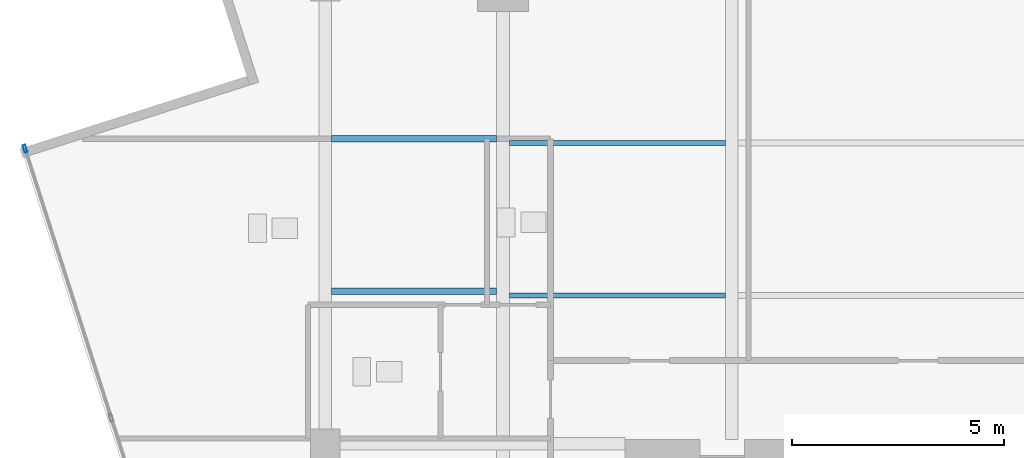
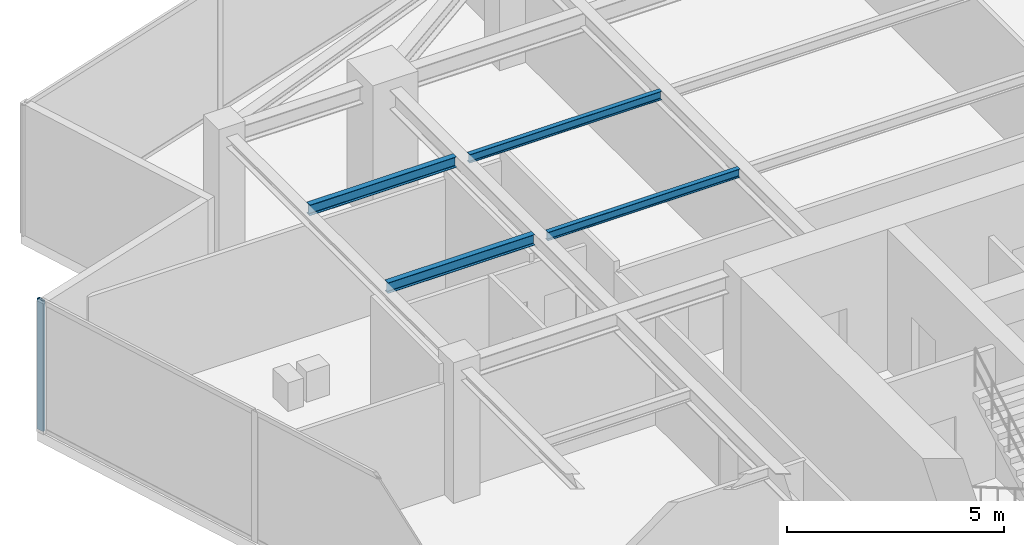
# One storey, part 7 of 21: 4 beams, 1 member, 1 element without a shape of its own.
"""IFC4 building model written with IfcOpenShell, lengths in metres."""

from ifc_helpers import new_model, si_unit, direction, frame, origin, origin_2d, place, context, subcontext, project, spatial, hollow_rectangle, i_section, extrude, source, transform, mapped, material, material_profile, profile_set, type_object, type_shapes, element, aggregate, save


model = new_model("IFC4")

# Units and contexts
model_context = context("Model", 3, precision=1e-05, world=origin(), true_north=direction((0.0, 1.0)))
body_context = subcontext(model_context, "Body", "Model", "MODEL_VIEW")
ifc_project = project(units=[si_unit("LENGTHUNIT", "METRE"), si_unit("AREAUNIT", "SQUARE_METRE"), si_unit("VOLUMEUNIT", "CUBIC_METRE"), si_unit("PLANEANGLEUNIT", "RADIAN"), si_unit("MASSUNIT", "GRAM", prefix="KILO")], contexts=[model_context])

# Site, building, storey
site_placement = place(None, origin())
site = spatial("IfcSite", under=ifc_project, at=site_placement, CompositionType="ELEMENT")
building_placement = place(site_placement, origin())
building = spatial("IfcBuilding", under=site, at=building_placement, Name="Krantzveldt Concourse Tower", CompositionType="ELEMENT")
storey_placement = place(building_placement, frame((0.0, 0.0, 343.5)))
storey = spatial("IfcBuildingStorey", under=building, at=storey_placement, Name="L84", CompositionType="ELEMENT", Elevation=343.5)

# Beams
ifc_material_1 = material(Name="Steel S355JR", Category="steel")
ifc_material_profile_1 = material_profile(ifc_material_1, i_section(OverallWidth=0.1201171875, OverallDepth=0.239990234375, WebThickness=0.006103515625, FlangeThickness=0.009765625, FilletRadius=0.014892578125, at=origin_2d()), Name="Steel S355JR", Category="steel")
ifc_profile_set_1 = profile_set([ifc_material_profile_1], Name="Steel S355JR - IPE 240")
beam_type_1 = type_object("IfcBeamType", Name="BM-LN-IPE240", PredefinedType="LINTEL", material=ifc_profile_set_1)
shared_shape_1 = source(origin(), body_context, "Body", "SweptSolid", [
    extrude(i_section(OverallWidth=0.1201171875, OverallDepth=0.239990234375, WebThickness=0.006103515625, FlangeThickness=0.009765625, FilletRadius=0.014892578125, at=origin_2d()), origin(), (0.0, 0.0, 1.0), 5.099853515625),
])
type_shapes(beam_type_1, [shared_shape_1])
for number, where, z_axis, x_axis, name in (
    (1, (25.35009765625, 30.199951171875, 3.550048828125), (1.0, 0.0, 0.0), (0.0, 1.0, 0.0), "L84 Secondary Floor Joist JN-W1"),
    (2, (25.35009765625, 33.800048828125, 3.550048828125), (1.0, 0.0, 0.0), (0.0, 1.0, 0.0), "L84 Secondary Floor Joist JN-W2"),
):
    element("IfcBeam", number, at=place(storey_placement, frame(where, z_axis=z_axis, x_axis=x_axis)), inside=storey, type_object=beam_type_1, Name=name, PredefinedType="LINTEL", context=body_context, shape_type="MappedRepresentation", body=[
        mapped(shared_shape_1, transform((0.0, 0.0, 0.0), x_axis=(1.0, 0.0, 0.0), y_axis=(0.0, 1.0, 0.0), z_axis=(0.0, 0.0, 1.0), scale=1.0)),
    ])
ifc_material_profile_2 = material_profile(ifc_material_1, i_section(OverallWidth=0.14990234375, OverallDepth=0.300048828125, WebThickness=0.007080078125, FlangeThickness=0.0107421875, FilletRadius=0.014892578125, at=origin_2d()), Name="Steel S355JR", Category="steel")
ifc_profile_set_2 = profile_set([ifc_material_profile_2], Name="Steel S355JR - IPE 300")
beam_type_2 = type_object("IfcBeamType", Name="BM-J-IPE300", PredefinedType="JOIST", material=ifc_profile_set_2)
shared_shape_2 = source(origin(), body_context, "Body", "SweptSolid", [
    extrude(i_section(OverallWidth=0.14990234375, OverallDepth=0.300048828125, WebThickness=0.007080078125, FlangeThickness=0.0107421875, FilletRadius=0.014892578125, at=origin_2d()), origin(), (0.0, 0.0, 1.0), 3.900146484375),
])
type_shapes(beam_type_2, [shared_shape_2])
for number, where, z_axis, x_axis, name in (
    (3, (21.14990234375, 30.300048828125, 3.52001953125), (1.0, 0.0, 0.0), (0.0, 1.0, 0.0), "L84 Secondary Floor Joist JW-3"),
    (4, (21.14990234375, 33.89990234375, 3.52001953125), (1.0, 0.0, 0.0), (0.0, 1.0, 0.0), "L84 Secondary Floor Joist JW-4"),
):
    element("IfcBeam", number, at=place(storey_placement, frame(where, z_axis=z_axis, x_axis=x_axis)), inside=storey, type_object=beam_type_2, Name=name, PredefinedType="JOIST", context=body_context, shape_type="MappedRepresentation", body=[
        mapped(shared_shape_2, transform((0.0, 0.0, 0.0), x_axis=(1.0, 0.0, 0.0), y_axis=(0.0, 1.0, 0.0), z_axis=(0.0, 0.0, 1.0), scale=1.0)),
    ])

# Curtain wall, member
ifc_material_2 = material(Name="Anodised aluminium 6063-T6", Category="aluminium")
curtain_wall_type = type_object("IfcCurtainWallType", Name="CW4", PredefinedType="USERDEFINED", material=ifc_material_2)
curtain_wall_placement = place(storey_placement, origin())
curtain_wall = element("IfcCurtainWall", 5, at=curtain_wall_placement, inside=storey, type_object=curtain_wall_type, Name="CW-L84-F04", ObjectType="UNITISED CURTAIN WALL", PredefinedType="USERDEFINED")
ifc_material_profile_3 = material_profile(ifc_material_2, hollow_rectangle(XDim=0.070068359375, YDim=0.179931640625, WallThickness=0.0048828125, at=origin_2d()), Name="Anodised aluminium 6063-T6", Category="aluminium")
ifc_profile_set_3 = profile_set([ifc_material_profile_3], Name="Anodised aluminium 6063-T6 - ALU-MULL 180x70x5")
member_type = type_object("IfcMemberType", Name="CW-MUL-180", PredefinedType="MULLION", material=ifc_profile_set_3)
shared_shape_3 = source(origin(), body_context, "Body", "SweptSolid", [
    extrude(hollow_rectangle(XDim=0.070068359375, YDim=0.179931640625, WallThickness=0.0048828125, at=origin_2d()), origin(), (0.0, 0.0, 1.0), 3.669921875),
])
type_shapes(member_type, [shared_shape_3])
member_placement = place(storey_placement, frame((13.915771484375, 33.663818359375, 0.0), z_axis=(0.0, 0.0, 1.0), x_axis=(0.952395843376, 0.304864162408, 0.0)))
member = element("IfcMember", 6, at=member_placement, type_object=member_type, Name="CW-Z56 mullion 1", PredefinedType="MULLION", context=body_context, shape_type="MappedRepresentation", body=[
    mapped(shared_shape_3, transform((0.0, 0.0, 0.0), x_axis=(1.0, 0.0, 0.0), y_axis=(0.0, 1.0, 0.0), z_axis=(0.0, 0.0, 1.0), scale=1.0)),
])
aggregate(curtain_wall, [member])

save(model, "model.ifc")
